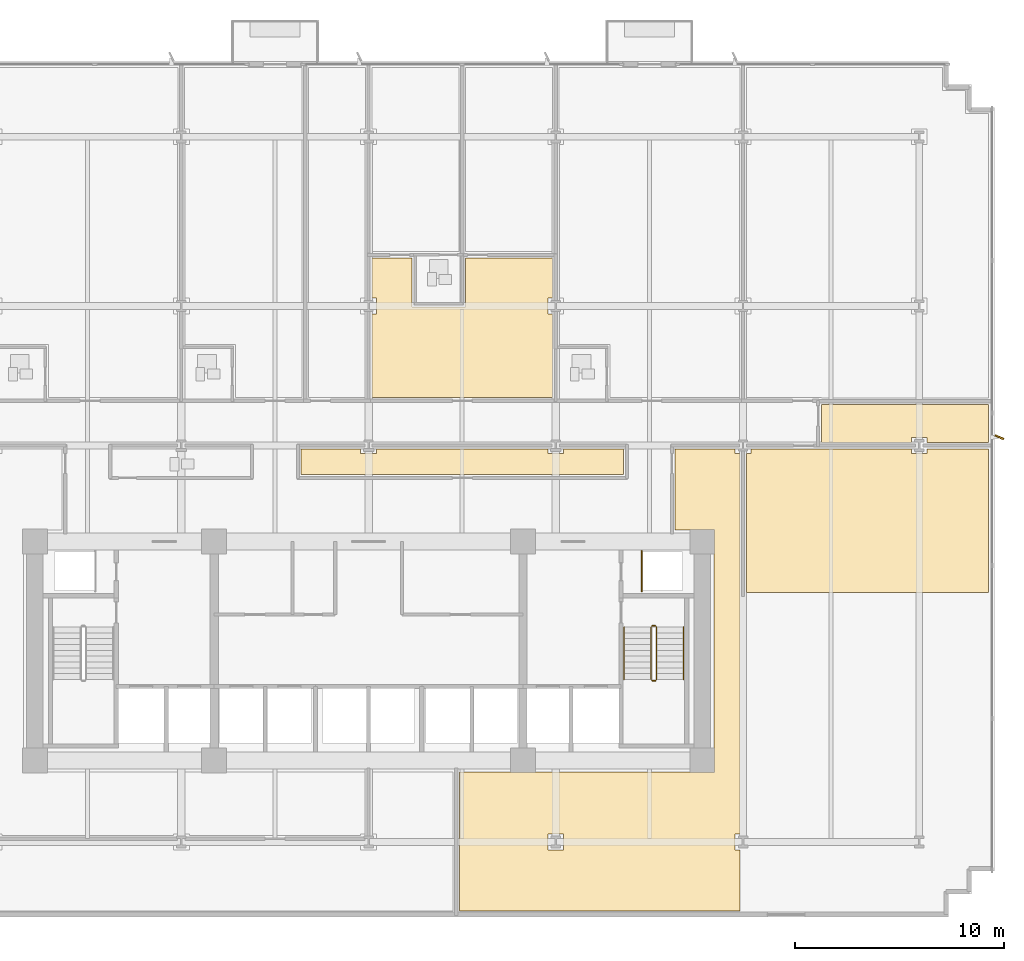
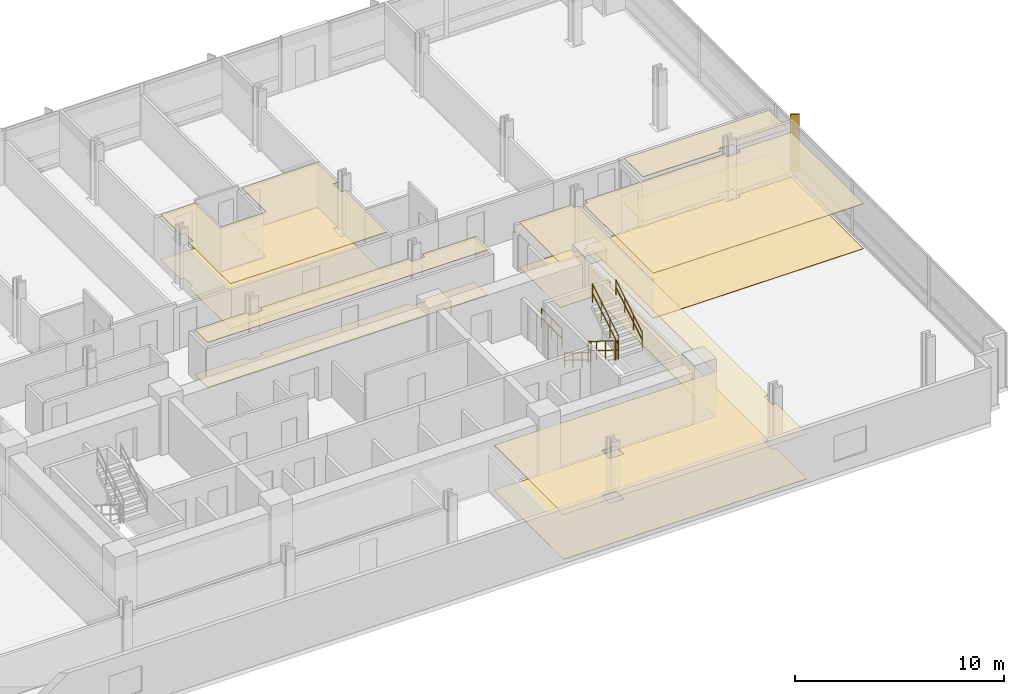
# One storey, part 13 of 15: 10 coverings, 7 railings, 1 shading device.
"""IFC4 building model written with IfcOpenShell, lengths in metres."""

from ifc_helpers import new_model, si_unit, direction, frame, origin, origin_2d, place, context, subcontext, project, spatial, polyline, rectangle, circle, outline, extrude, material, layer, layer_set, type_object, element, save


model = new_model("IFC4")

# Units and contexts
model_context = context("Model", 3, precision=1e-05, world=origin(), true_north=direction((0.0, 1.0)))
body_context = subcontext(model_context, "Body", "Model", "MODEL_VIEW")
ifc_project = project(units=[si_unit("LENGTHUNIT", "METRE"), si_unit("AREAUNIT", "SQUARE_METRE"), si_unit("VOLUMEUNIT", "CUBIC_METRE"), si_unit("PLANEANGLEUNIT", "RADIAN"), si_unit("MASSUNIT", "GRAM", prefix="KILO")], contexts=[model_context])

# Site, building, storey
site_placement = place(None, origin())
site = spatial("IfcSite", under=ifc_project, at=site_placement, CompositionType="ELEMENT")
building_placement = place(site_placement, origin())
building = spatial("IfcBuilding", under=site, at=building_placement, Name="Solmavex Isthmus Hotel", CompositionType="ELEMENT")
storey_placement = place(building_placement, frame((0.0, 0.0, 33.300048828125)))
storey = spatial("IfcBuildingStorey", under=building, at=storey_placement, Name="L08", CompositionType="ELEMENT", Elevation=33.300048828125)

# Coverings
ifc_material_1 = material(Name="Gypsum plasterboard lining", Category="gypsum")
ifc_layer_1 = layer(ifc_material_1, 0.030029296875)
ifc_layer_set_1 = layer_set([ifc_layer_1], Name="Gypsum plasterboard lining")
covering_type_1 = type_object("IfcCoveringType", Name="COV-CEIL-GYP", PredefinedType="CEILING", material=ifc_layer_set_1)
covering_1_placement = place(storey_placement, frame((0.0, 0.0, 2.619873046875)))
element("IfcCovering", 1, at=covering_1_placement, inside=storey, type_object=covering_type_1, Name="Suspended Acoustic Ceiling L08-ST05-FY", PredefinedType="CEILING", context=body_context, shape_type="SweptSolid", body=[
    extrude(outline(polyline([(8.821044921875, 8.407958984375), (8.595947265625, 8.407958984375), (8.595947265625, 9.16796875), (8.821044921875, 9.16796875), (8.821044921875, 11.0830078125), (4.64306640625, 11.0830078125), (4.64306640625, 8.73291015625), (2.0830078125, 8.73291015625), (2.0830078125, 11.0830078125), (0.155029296875, 11.0830078125), (0.155029296875, 9.16796875), (0.3798828125, 9.16796875), (0.3798828125, 8.407958984375), (0.155029296875, 8.407958984375), (0.155029296875, 4.405029296875), (8.821044921875, 4.405029296875), (8.821044921875, 8.407958984375)])), origin(), (0.0, 0.0, 1.0), 0.030029296875),
])
covering_2_placement = place(storey_placement, frame((0.0, 0.0, 2.619873046875)))
element("IfcCovering", 2, at=covering_2_placement, inside=storey, type_object=covering_type_1, Name="Suspended Acoustic Ceiling L08-FL10", PredefinedType="CEILING", context=body_context, shape_type="SweptSolid", body=[
    extrude(outline(polyline([(26.02001953125, 2.2548828125), (26.02001953125, 2.47998046875), (26.780029296875, 2.47998046875), (26.780029296875, 2.2548828125), (29.72509765625, 2.2548828125), (29.72509765625, 4.074951171875), (21.70703125, 4.074951171875), (21.70703125, 2.2548828125), (26.02001953125, 2.2548828125)])), origin(), (0.0, 0.0, 1.0), 0.030029296875),
])
covering_3_placement = place(storey_placement, frame((0.0, 0.0, 2.619873046875)))
element("IfcCovering", 3, at=covering_3_placement, inside=storey, type_object=covering_type_1, Name="Suspended Acoustic Ceiling L08-FL11", PredefinedType="CEILING", context=body_context, shape_type="SweptSolid", body=[
    extrude(outline(polyline([(0.3798828125, 1.945068359375), (0.3798828125, 1.719970703125), (-0.3798828125, 1.719970703125), (-0.3798828125, 1.945068359375), (-3.23291015625, 1.945068359375), (-3.23291015625, 0.705078125), (12.22900390625, 0.705078125), (12.22900390625, 1.945068359375), (9.35595703125, 1.945068359375), (9.35595703125, 1.719970703125), (8.595947265625, 1.719970703125), (8.595947265625, 1.945068359375), (0.3798828125, 1.945068359375)])), origin(), (0.0, 0.0, 1.0), 0.030029296875),
])
covering_4_placement = place(storey_placement, frame((0.0, 0.0, 2.619873046875)))
element("IfcCovering", 4, at=covering_4_placement, inside=storey, type_object=covering_type_1, Name="Suspended Acoustic Ceiling L08-FL13", PredefinedType="CEILING", context=body_context, shape_type="SweptSolid", body=[
    extrude(outline(polyline([(26.780029296875, 1.945068359375), (26.780029296875, 1.719970703125), (26.02001953125, 1.719970703125), (26.02001953125, 1.945068359375), (18.33203125, 1.945068359375), (18.33203125, 1.719970703125), (18.10693359375, 1.719970703125), (18.10693359375, -4.945068359375), (29.72509765625, -4.945068359375), (29.72509765625, 1.945068359375), (26.780029296875, 1.945068359375)])), origin(), (0.0, 0.0, 1.0), 0.030029296875),
])
covering_5_placement = place(storey_placement, frame((0.0, 0.0, 2.619873046875)))
element("IfcCovering", 5, at=covering_5_placement, inside=storey, type_object=covering_type_1, Name="Suspended Acoustic Ceiling L08-FL15", PredefinedType="CEILING", context=body_context, shape_type="SweptSolid", body=[
    extrude(outline(polyline([(17.797119140625, 1.719970703125), (17.572021484375, 1.719970703125), (17.572021484375, 1.945068359375), (14.698974609375, 1.945068359375), (14.698974609375, -1.945068359375), (16.554931640625, -1.945068359375), (16.554931640625, -13.554931640625), (4.35498046875, -13.554931640625), (4.35498046875, -20.22509765625), (17.797119140625, -20.22509765625), (17.797119140625, -17.280029296875), (17.572021484375, -17.280029296875), (17.572021484375, -16.52001953125), (17.797119140625, -16.52001953125), (17.797119140625, 1.719970703125)]), holes=[polyline([(8.595947265625, -17.280029296875), (8.595947265625, -16.52001953125), (9.35595703125, -16.52001953125), (9.35595703125, -17.280029296875), (8.595947265625, -17.280029296875)])]), origin(), (0.0, 0.0, 1.0), 0.030029296875),
])
ifc_material_2 = material(Name="Travertine natural stone", Category="masonry")
ifc_layer_2 = layer(ifc_material_2, 0.02490234375)
ifc_layer_set_2 = layer_set([ifc_layer_2], Name="Travertine natural stone")
covering_type_2 = type_object("IfcCoveringType", Name="COV-FLOR-STN", PredefinedType="FLOORING", material=ifc_layer_set_2)
covering_6_placement = place(storey_placement, origin())
element("IfcCovering", 6, at=covering_6_placement, inside=storey, type_object=covering_type_2, Name="Stone and Timber Floor Finish L08-ST05-FY", PredefinedType="FLOORING", context=body_context, shape_type="SweptSolid", body=[
    extrude(outline(polyline([(8.821044921875, 8.407958984375), (8.595947265625, 8.407958984375), (8.595947265625, 9.16796875), (8.821044921875, 9.16796875), (8.821044921875, 11.0830078125), (4.64306640625, 11.0830078125), (4.64306640625, 8.73291015625), (2.0830078125, 8.73291015625), (2.0830078125, 11.0830078125), (0.155029296875, 11.0830078125), (0.155029296875, 9.16796875), (0.3798828125, 9.16796875), (0.3798828125, 8.407958984375), (0.155029296875, 8.407958984375), (0.155029296875, 4.405029296875), (8.821044921875, 4.405029296875), (8.821044921875, 8.407958984375)])), origin(), (0.0, 0.0, 1.0), 0.02490234375),
])
covering_7_placement = place(storey_placement, origin())
element("IfcCovering", 7, at=covering_7_placement, inside=storey, type_object=covering_type_2, Name="Stone and Timber Floor Finish L08-FL10", PredefinedType="FLOORING", context=body_context, shape_type="SweptSolid", body=[
    extrude(outline(polyline([(26.02001953125, 2.2548828125), (26.02001953125, 2.47998046875), (26.780029296875, 2.47998046875), (26.780029296875, 2.2548828125), (29.72509765625, 2.2548828125), (29.72509765625, 4.074951171875), (21.70703125, 4.074951171875), (21.70703125, 2.2548828125), (26.02001953125, 2.2548828125)])), origin(), (0.0, 0.0, 1.0), 0.02490234375),
])
covering_8_placement = place(storey_placement, origin())
element("IfcCovering", 8, at=covering_8_placement, inside=storey, type_object=covering_type_2, Name="Stone and Timber Floor Finish L08-FL11", PredefinedType="FLOORING", context=body_context, shape_type="SweptSolid", body=[
    extrude(outline(polyline([(0.3798828125, 1.945068359375), (0.3798828125, 1.719970703125), (-0.3798828125, 1.719970703125), (-0.3798828125, 1.945068359375), (-3.23291015625, 1.945068359375), (-3.23291015625, 0.705078125), (12.22900390625, 0.705078125), (12.22900390625, 1.945068359375), (9.35595703125, 1.945068359375), (9.35595703125, 1.719970703125), (8.595947265625, 1.719970703125), (8.595947265625, 1.945068359375), (0.3798828125, 1.945068359375)])), origin(), (0.0, 0.0, 1.0), 0.02490234375),
])
covering_9_placement = place(storey_placement, origin())
element("IfcCovering", 9, at=covering_9_placement, inside=storey, type_object=covering_type_2, Name="Stone and Timber Floor Finish L08-FL13", PredefinedType="FLOORING", context=body_context, shape_type="SweptSolid", body=[
    extrude(outline(polyline([(26.780029296875, 1.945068359375), (26.780029296875, 1.719970703125), (26.02001953125, 1.719970703125), (26.02001953125, 1.945068359375), (18.33203125, 1.945068359375), (18.33203125, 1.719970703125), (18.10693359375, 1.719970703125), (18.10693359375, -4.945068359375), (29.72509765625, -4.945068359375), (29.72509765625, 1.945068359375), (26.780029296875, 1.945068359375)])), origin(), (0.0, 0.0, 1.0), 0.02490234375),
])
covering_10_placement = place(storey_placement, origin())
element("IfcCovering", 10, at=covering_10_placement, inside=storey, type_object=covering_type_2, Name="Stone and Timber Floor Finish L08-FL15", PredefinedType="FLOORING", context=body_context, shape_type="SweptSolid", body=[
    extrude(outline(polyline([(17.797119140625, 1.719970703125), (17.572021484375, 1.719970703125), (17.572021484375, 1.945068359375), (14.698974609375, 1.945068359375), (14.698974609375, -1.945068359375), (16.554931640625, -1.945068359375), (16.554931640625, -13.554931640625), (4.35498046875, -13.554931640625), (4.35498046875, -20.22509765625), (17.797119140625, -20.22509765625), (17.797119140625, -17.280029296875), (17.572021484375, -17.280029296875), (17.572021484375, -16.52001953125), (17.797119140625, -16.52001953125), (17.797119140625, 1.719970703125)]), holes=[polyline([(8.595947265625, -17.280029296875), (8.595947265625, -16.52001953125), (9.35595703125, -16.52001953125), (9.35595703125, -17.280029296875), (8.595947265625, -17.280029296875)])]), origin(), (0.0, 0.0, 1.0), 0.02490234375),
])

# Railings
ifc_material_3 = material(Name="Clear low-E laminated glass", Category="glass")
ifc_layer_3 = layer(ifc_material_3, 0.080078125)
ifc_layer_set_3 = layer_set([ifc_layer_3], Name="Clear low-E laminated glass")
railing_type_1 = type_object("IfcRailingType", Name="RAIL-ATRIUM-1120", PredefinedType="BALUSTRADE", material=ifc_layer_set_3)
railing_1_placement = place(storey_placement, frame((13.10009765625, -4.89990234375, 0.0)))
element("IfcRailing", 11, at=railing_1_placement, inside=storey, type_object=railing_type_1, Name="Guardrail Balustrade L08-RSE-01", PredefinedType="BALUSTRADE", context=body_context, shape_type="SweptSolid", body=[
    extrude(circle(Radius=0.02392578125, at=origin_2d()), frame((0.0, 0.0, 1.1259765625), z_axis=(0.0, 1.0, 0.0), x_axis=(-1.0, 0.0, 0.0)), (0.0, 0.0, 1.0), 1.949951171875),
    extrude(circle(Radius=0.02392578125, at=origin_2d()), frame((0.0, 0.0, 0.574951171875), z_axis=(0.0, 1.0, 0.0), x_axis=(-1.0, 0.0, 0.0)), (0.0, 0.0, 1.0), 1.949951171875),
    extrude(circle(Radius=0.02099609375, at=origin_2d()), origin(), (0.0, 0.0, 1.0), 1.101806640625),
    extrude(circle(Radius=0.02099609375, at=origin_2d()), frame((0.0, 0.97509765625, 0.0)), (0.0, 0.0, 1.0), 1.101806640625),
    extrude(circle(Radius=0.02099609375, at=origin_2d()), frame((0.0, 1.949951171875, 0.0)), (0.0, 0.0, 1.0), 1.101806640625),
])
ifc_material_4 = material(Name="Stainless steel 316", Category="steel")
ifc_layer_4 = layer(ifc_material_4, 0.06005859375)
ifc_layer_set_4 = layer_set([ifc_layer_4], Name="Stainless steel 316")
railing_type_2 = type_object("IfcRailingType", Name="RAIL-STAIR-GD", PredefinedType="GUARDRAIL", material=ifc_layer_set_4)
railing_2_placement = place(storey_placement, frame((13.550048828125, -6.60009765625, 0.17236328125)))
element("IfcRailing", 12, at=railing_2_placement, inside=storey, type_object=railing_type_2, Name="L08 ST-2 stair guard 1", PredefinedType="GUARDRAIL", context=body_context, shape_type="SweptSolid", body=[
    extrude(circle(Radius=0.02392578125, at=origin_2d()), frame((0.0, 0.0, 1.09619140625), z_axis=(0.0, -0.851400495292, 0.524516154772), x_axis=(1.0, 0.0, 0.0)), (0.0, 0.0, 1.0), 2.9599609375),
    extrude(circle(Radius=0.02392578125, at=origin_2d()), frame((0.0, 0.0, 0.56005859375), z_axis=(0.0, -0.851400495292, 0.524516154772), x_axis=(1.0, 0.0, 0.0)), (0.0, 0.0, 1.0), 2.9599609375),
    extrude(circle(Radius=0.02099609375, at=origin_2d()), origin(), (0.0, 0.0, 1.0), 1.072021484375),
    extrude(circle(Radius=0.02099609375, at=origin_2d()), frame((0.0, -0.840087890625, 0.517578125)), (0.0, 0.0, 1.0), 1.072021484375),
    extrude(circle(Radius=0.02099609375, at=origin_2d()), frame((0.0, -1.679931640625, 1.034912109375)), (0.0, 0.0, 1.0), 1.072021484375),
    extrude(circle(Radius=0.02099609375, at=origin_2d()), frame((0.0, -2.52001953125, 1.552490234375)), (0.0, 0.0, 1.0), 1.072021484375),
])
railing_3_placement = place(storey_placement, frame((13.60009765625, -9.169921875, 1.724853515625)))
element("IfcRailing", 13, at=railing_3_placement, inside=storey, type_object=railing_type_2, Name="L08 ST-2 stair guard 2", PredefinedType="GUARDRAIL", context=body_context, shape_type="SweptSolid", body=[
    extrude(circle(Radius=0.02392578125, at=origin_2d()), frame((0.0, 0.0, 1.09619140625), z_axis=(1.0, 0.0, 0.0), x_axis=(0.0, 1.0, 0.0)), (0.0, 0.0, 1.0), 0.14990234375),
    extrude(circle(Radius=0.02392578125, at=origin_2d()), frame((0.0, 0.0, 0.56005859375), z_axis=(1.0, 0.0, 0.0), x_axis=(0.0, 1.0, 0.0)), (0.0, 0.0, 1.0), 0.14990234375),
    extrude(circle(Radius=0.02099609375, at=origin_2d()), origin(), (0.0, 0.0, 1.0), 1.072021484375),
    extrude(circle(Radius=0.02099609375, at=origin_2d()), frame((0.14990234375, 0.0, 0.0)), (0.0, 0.0, 1.0), 1.072021484375),
])
railing_4_placement = place(storey_placement, frame((13.800048828125, -9.1201171875, 1.8974609375)))
element("IfcRailing", 14, at=railing_4_placement, inside=storey, type_object=railing_type_2, Name="L08 ST-2 stair guard 3", PredefinedType="GUARDRAIL", context=body_context, shape_type="SweptSolid", body=[
    extrude(circle(Radius=0.02392578125, at=origin_2d()), frame((0.0, 0.0, 1.09619140625), z_axis=(0.0, 0.851400495292, 0.524516154772), x_axis=(-1.0, 0.0, 0.0)), (0.0, 0.0, 1.0), 2.9599609375),
    extrude(circle(Radius=0.02392578125, at=origin_2d()), frame((0.0, 0.0, 0.56005859375), z_axis=(0.0, 0.851400495292, 0.524516154772), x_axis=(-1.0, 0.0, 0.0)), (0.0, 0.0, 1.0), 2.9599609375),
    extrude(circle(Radius=0.02099609375, at=origin_2d()), origin(), (0.0, 0.0, 1.0), 1.072021484375),
    extrude(circle(Radius=0.02099609375, at=origin_2d()), frame((0.0, 0.840087890625, 0.517578125)), (0.0, 0.0, 1.0), 1.072021484375),
    extrude(circle(Radius=0.02099609375, at=origin_2d()), frame((0.0, 1.679931640625, 1.034912109375)), (0.0, 0.0, 1.0), 1.072021484375),
    extrude(circle(Radius=0.02099609375, at=origin_2d()), frame((0.0, 2.52001953125, 1.552490234375)), (0.0, 0.0, 1.0), 1.072021484375),
])
railing_5_placement = place(storey_placement, frame((13.60009765625, -6.550048828125, 0.0)))
element("IfcRailing", 15, at=railing_5_placement, inside=storey, type_object=railing_type_2, Name="L08 ST-2 stair guard 4", PredefinedType="GUARDRAIL", context=body_context, shape_type="SweptSolid", body=[
    extrude(circle(Radius=0.02392578125, at=origin_2d()), frame((0.0, 0.0, 1.09619140625), z_axis=(1.0, 0.0, 0.0), x_axis=(0.0, 1.0, 0.0)), (0.0, 0.0, 1.0), 0.14990234375),
    extrude(circle(Radius=0.02392578125, at=origin_2d()), frame((0.0, 0.0, 0.56005859375), z_axis=(1.0, 0.0, 0.0), x_axis=(0.0, 1.0, 0.0)), (0.0, 0.0, 1.0), 0.14990234375),
    extrude(circle(Radius=0.02099609375, at=origin_2d()), origin(), (0.0, 0.0, 1.0), 1.072021484375),
    extrude(circle(Radius=0.02099609375, at=origin_2d()), frame((0.14990234375, 0.0, 0.0)), (0.0, 0.0, 1.0), 1.072021484375),
])
ifc_layer_5 = layer(ifc_material_4, 0.050048828125)
ifc_layer_set_5 = layer_set([ifc_layer_5], Name="Stainless steel 316")
railing_type_3 = type_object("IfcRailingType", Name="RAIL-STAIR-HR", PredefinedType="HANDRAIL", material=ifc_layer_set_5)
railing_6_placement = place(storey_placement, frame((12.25, -6.60009765625, 0.17236328125)))
element("IfcRailing", 16, at=railing_6_placement, inside=storey, type_object=railing_type_3, Name="L08 ST-2 stair handrail 1", PredefinedType="HANDRAIL", context=body_context, shape_type="SweptSolid", body=[
    extrude(circle(Radius=0.02392578125, at=origin_2d()), frame((0.0, 0.0, 0.8759765625), z_axis=(0.0, -0.851400495292, 0.524516154772), x_axis=(1.0, 0.0, 0.0)), (0.0, 0.0, 1.0), 2.9599609375),
    extrude(circle(Radius=0.02392578125, at=origin_2d()), frame((0.0, 0.0, 0.449951171875), z_axis=(0.0, -0.851400495292, 0.524516154772), x_axis=(1.0, 0.0, 0.0)), (0.0, 0.0, 1.0), 2.9599609375),
    extrude(circle(Radius=0.02099609375, at=origin_2d()), origin(), (0.0, 0.0, 1.0), 0.851806640625),
    extrude(circle(Radius=0.02099609375, at=origin_2d()), frame((0.0, -0.840087890625, 0.517578125)), (0.0, 0.0, 1.0), 0.851806640625),
    extrude(circle(Radius=0.02099609375, at=origin_2d()), frame((0.0, -1.679931640625, 1.034912109375)), (0.0, 0.0, 1.0), 0.851806640625),
    extrude(circle(Radius=0.02099609375, at=origin_2d()), frame((0.0, -2.52001953125, 1.552490234375)), (0.0, 0.0, 1.0), 0.851806640625),
])
railing_7_placement = place(storey_placement, frame((15.10009765625, -9.1201171875, 1.8974609375)))
element("IfcRailing", 17, at=railing_7_placement, inside=storey, type_object=railing_type_3, Name="L08 ST-2 stair handrail 2", PredefinedType="HANDRAIL", context=body_context, shape_type="SweptSolid", body=[
    extrude(circle(Radius=0.02392578125, at=origin_2d()), frame((0.0, 0.0, 0.8759765625), z_axis=(0.0, 0.851400495292, 0.524516154772), x_axis=(-1.0, 0.0, 0.0)), (0.0, 0.0, 1.0), 2.9599609375),
    extrude(circle(Radius=0.02392578125, at=origin_2d()), frame((0.0, 0.0, 0.449951171875), z_axis=(0.0, 0.851400495292, 0.524516154772), x_axis=(-1.0, 0.0, 0.0)), (0.0, 0.0, 1.0), 2.9599609375),
    extrude(circle(Radius=0.02099609375, at=origin_2d()), origin(), (0.0, 0.0, 1.0), 0.851806640625),
    extrude(circle(Radius=0.02099609375, at=origin_2d()), frame((0.0, 0.840087890625, 0.517578125)), (0.0, 0.0, 1.0), 0.851806640625),
    extrude(circle(Radius=0.02099609375, at=origin_2d()), frame((0.0, 1.679931640625, 1.034912109375)), (0.0, 0.0, 1.0), 0.851806640625),
    extrude(circle(Radius=0.02099609375, at=origin_2d()), frame((0.0, 2.52001953125, 1.552490234375)), (0.0, 0.0, 1.0), 0.851806640625),
])

# Shading device
ifc_material_5 = material(Name="Aluminium alloy 6063-T6", Category="aluminium")
shading_device_type = type_object("IfcShadingDeviceType", Name="SHD-FIN-BRONZE", PredefinedType="USERDEFINED", material=ifc_material_5)
shading_device_placement = place(storey_placement, frame((30.239990234375, 2.5, -0.14013671875), z_axis=(0.0, 0.0, 1.0), x_axis=(0.913545457643, -0.406736643076, 0.0)))
element("IfcShadingDevice", 18, at=shading_device_placement, inside=storey, type_object=shading_device_type, Name="Anodised Aluminium Solar Fin L08-E1", ObjectType="SOLAR_FIN", PredefinedType="USERDEFINED", context=body_context, shape_type="SweptSolid", body=[
    extrude(rectangle(XDim=0.449951171875, YDim=0.080078125, at=origin_2d()), origin(), (0.0, 0.0, 1.0), 3.330078125),
])

save(model, "model.ifc")
